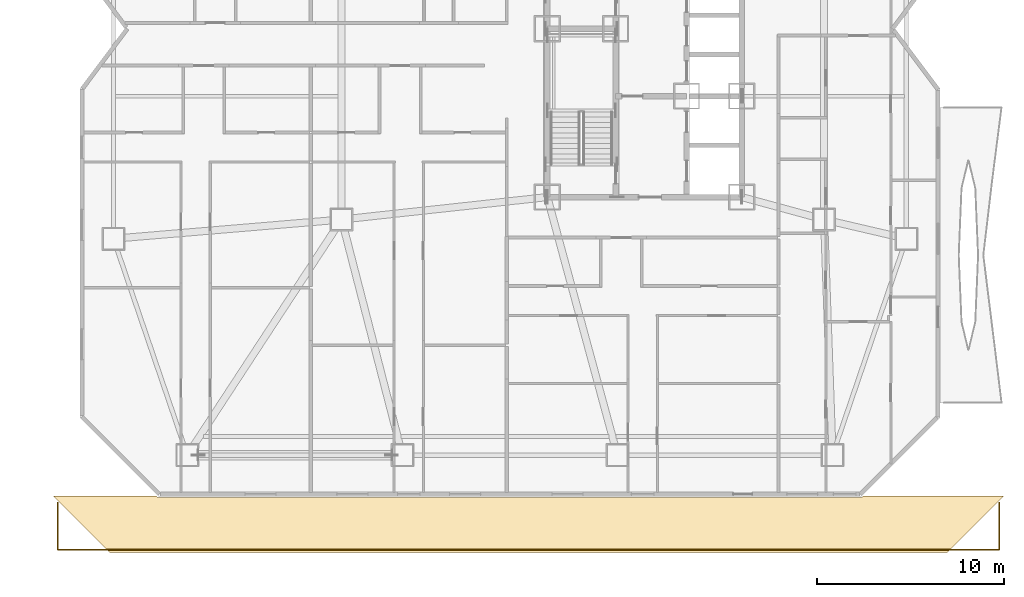
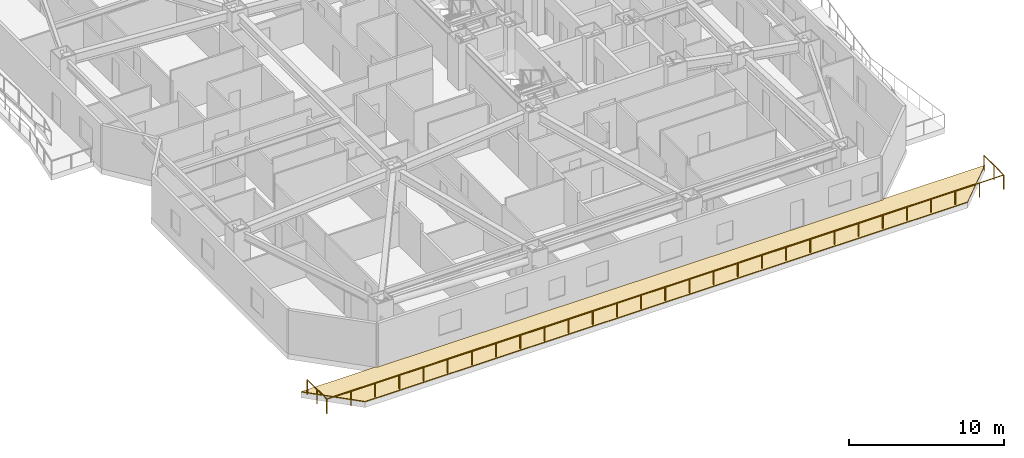
# One storey, part 16 of 18: 1 covering, 1 railing.
"""IFC4 building model written with IfcOpenShell, lengths in metres."""

from ifc_helpers import new_model, si_unit, direction, frame, origin, origin_2d, place, context, subcontext, project, spatial, polyline, circle, outline, extrude, material, layer, layer_set, type_object, element, save


model = new_model("IFC4")

# Units and contexts
model_context = context("Model", 3, precision=1e-05, world=origin(), true_north=direction((0.0, 1.0)))
body_context = subcontext(model_context, "Body", "Model", "MODEL_VIEW")
ifc_project = project(units=[si_unit("LENGTHUNIT", "METRE"), si_unit("AREAUNIT", "SQUARE_METRE"), si_unit("VOLUMEUNIT", "CUBIC_METRE"), si_unit("PLANEANGLEUNIT", "RADIAN"), si_unit("MASSUNIT", "GRAM", prefix="KILO")], contexts=[model_context])

# Site, building, storey
site_placement = place(None, origin())
site = spatial("IfcSite", under=ifc_project, at=site_placement, CompositionType="ELEMENT")
building_placement = place(site_placement, origin())
building = spatial("IfcBuilding", under=site, at=building_placement, Name="Khamvora Tower", CompositionType="ELEMENT")
storey_placement = place(building_placement, frame((0.0, 0.0, 33.300048828125)))
storey = spatial("IfcBuildingStorey", under=building, at=storey_placement, Name="L07", CompositionType="ELEMENT", Elevation=33.300048828125)

# Covering
ifc_material_1 = material(Name="Insulated Elastomeric Roof Waterproofing System", Category="membrane")
ifc_layer = layer(ifc_material_1, 0.0849609375)
ifc_layer_set = layer_set([ifc_layer], Name="Insulated Elastomeric Roof Waterproofing System")
covering_type = type_object("IfcCoveringType", Name="COV-ROOF-MEM", PredefinedType="ROOFING", material=ifc_layer_set)
covering_placement = place(storey_placement, origin())
element("IfcCovering", 1, at=covering_placement, inside=storey, type_object=covering_type, Name="L07 terrace waterproofing paving 1", PredefinedType="ROOFING", context=body_context, shape_type="SweptSolid", body=[
    extrude(outline(polyline([(50.39990234375, 0.0), (5.60009765625, 0.0), (2.580078125, 3.02001953125), (8.094970703125, 3.02001953125), (8.157958984375, 2.9580078125), (8.162109375, 2.9541015625), (8.1669921875, 2.949951171875), (8.172119140625, 2.947021484375), (8.177001953125, 2.945068359375), (8.18310546875, 2.943115234375), (8.18798828125, 2.94091796875), (8.194091796875, 2.93994140625), (8.199951171875, 2.93994140625), (45.800048828125, 2.93994140625), (45.805908203125, 2.93994140625), (45.81201171875, 2.94091796875), (45.81689453125, 2.943115234375), (45.822998046875, 2.945068359375), (45.827880859375, 2.947021484375), (45.8330078125, 2.949951171875), (45.837890625, 2.9541015625), (45.842041015625, 2.9580078125), (45.905029296875, 3.02001953125), (53.419921875, 3.02001953125), (50.39990234375, 0.0)])), origin(), (0.0, 0.0, 1.0), 0.06494140625),
])

# Railing
ifc_material_2 = material(Name="Laminated Structural Safety Glass and Stainless Steel", Category="steel")
railing_type = type_object("IfcRailingType", Name="RAL-POOL-1150", PredefinedType="BALUSTRADE", material=ifc_material_2)
railing_placement = place(storey_placement, frame((2.830078125, 2.669921875, 0.0)))
element("IfcRailing", 2, at=railing_placement, inside=storey, type_object=railing_type, Name="L07 stepped roof terrace balustrade 1", PredefinedType="BALUSTRADE", context=body_context, shape_type="SweptSolid", body=[
    extrude(circle(Radius=0.02392578125, at=origin_2d()), frame((0.0, 0.0, 1.1259765625), z_axis=(0.0, -1.0, 0.0), x_axis=(1.0, 0.0, 0.0)), (0.0, 0.0, 1.0), 2.52001953125),
    extrude(circle(Radius=0.02392578125, at=origin_2d()), frame((0.0, -2.52001953125, 1.1259765625), z_axis=(1.0, 0.0, 0.0), x_axis=(0.0, 1.0, 0.0)), (0.0, 0.0, 1.0), 50.33984375),
    extrude(circle(Radius=0.02392578125, at=origin_2d()), frame((50.33984375, -2.52001953125, 1.1259765625), z_axis=(0.0, 1.0, 0.0), x_axis=(-1.0, 0.0, 0.0)), (0.0, 0.0, 1.0), 2.52001953125),
    extrude(circle(Radius=0.02099609375, at=origin_2d()), origin(), (0.0, 0.0, 1.0), 1.101806640625),
    extrude(circle(Radius=0.02099609375, at=origin_2d()), frame((0.0, -1.260009765625, 0.0)), (0.0, 0.0, 1.0), 1.101806640625),
    extrude(circle(Radius=0.02099609375, at=origin_2d()), frame((0.0, -2.52001953125, 0.0)), (0.0, 0.0, 1.0), 1.101806640625),
    extrude(circle(Radius=0.02099609375, at=origin_2d()), frame((1.7978515625, -2.52001953125, 0.0)), (0.0, 0.0, 1.0), 1.101806640625),
    extrude(circle(Radius=0.02099609375, at=origin_2d()), frame((3.595703125, -2.52001953125, 0.0)), (0.0, 0.0, 1.0), 1.101806640625),
    extrude(circle(Radius=0.02099609375, at=origin_2d()), frame((5.3935546875, -2.52001953125, 0.0)), (0.0, 0.0, 1.0), 1.101806640625),
    extrude(circle(Radius=0.02099609375, at=origin_2d()), frame((7.19140625, -2.52001953125, 0.0)), (0.0, 0.0, 1.0), 1.101806640625),
    extrude(circle(Radius=0.02099609375, at=origin_2d()), frame((8.9892578125, -2.52001953125, 0.0)), (0.0, 0.0, 1.0), 1.101806640625),
    extrude(circle(Radius=0.02099609375, at=origin_2d()), frame((10.787109375, -2.52001953125, 0.0)), (0.0, 0.0, 1.0), 1.101806640625),
    extrude(circle(Radius=0.02099609375, at=origin_2d()), frame((12.5849609375, -2.52001953125, 0.0)), (0.0, 0.0, 1.0), 1.101806640625),
    extrude(circle(Radius=0.02099609375, at=origin_2d()), frame((14.3828125, -2.52001953125, 0.0)), (0.0, 0.0, 1.0), 1.101806640625),
    extrude(circle(Radius=0.02099609375, at=origin_2d()), frame((16.1806640625, -2.52001953125, 0.0)), (0.0, 0.0, 1.0), 1.101806640625),
    extrude(circle(Radius=0.02099609375, at=origin_2d()), frame((17.978515625, -2.52001953125, 0.0)), (0.0, 0.0, 1.0), 1.101806640625),
    extrude(circle(Radius=0.02099609375, at=origin_2d()), frame((19.7763671875, -2.52001953125, 0.0)), (0.0, 0.0, 1.0), 1.101806640625),
    extrude(circle(Radius=0.02099609375, at=origin_2d()), frame((21.57421875, -2.52001953125, 0.0)), (0.0, 0.0, 1.0), 1.101806640625),
    extrude(circle(Radius=0.02099609375, at=origin_2d()), frame((23.3720703125, -2.52001953125, 0.0)), (0.0, 0.0, 1.0), 1.101806640625),
    extrude(circle(Radius=0.02099609375, at=origin_2d()), frame((25.169921875, -2.52001953125, 0.0)), (0.0, 0.0, 1.0), 1.101806640625),
    extrude(circle(Radius=0.02099609375, at=origin_2d()), frame((26.9677734375, -2.52001953125, 0.0)), (0.0, 0.0, 1.0), 1.101806640625),
    extrude(circle(Radius=0.02099609375, at=origin_2d()), frame((28.765625, -2.52001953125, 0.0)), (0.0, 0.0, 1.0), 1.101806640625),
    extrude(circle(Radius=0.02099609375, at=origin_2d()), frame((30.5634765625, -2.52001953125, 0.0)), (0.0, 0.0, 1.0), 1.101806640625),
    extrude(circle(Radius=0.02099609375, at=origin_2d()), frame((32.361328125, -2.52001953125, 0.0)), (0.0, 0.0, 1.0), 1.101806640625),
    extrude(circle(Radius=0.02099609375, at=origin_2d()), frame((34.1591796875, -2.52001953125, 0.0)), (0.0, 0.0, 1.0), 1.101806640625),
    extrude(circle(Radius=0.02099609375, at=origin_2d()), frame((35.95703125, -2.52001953125, 0.0)), (0.0, 0.0, 1.0), 1.101806640625),
    extrude(circle(Radius=0.02099609375, at=origin_2d()), frame((37.7548828125, -2.52001953125, 0.0)), (0.0, 0.0, 1.0), 1.101806640625),
    extrude(circle(Radius=0.02099609375, at=origin_2d()), frame((39.552734375, -2.52001953125, 0.0)), (0.0, 0.0, 1.0), 1.101806640625),
    extrude(circle(Radius=0.02099609375, at=origin_2d()), frame((41.3505859375, -2.52001953125, 0.0)), (0.0, 0.0, 1.0), 1.101806640625),
    extrude(circle(Radius=0.02099609375, at=origin_2d()), frame((43.1484375, -2.52001953125, 0.0)), (0.0, 0.0, 1.0), 1.101806640625),
    extrude(circle(Radius=0.02099609375, at=origin_2d()), frame((44.9462890625, -2.52001953125, 0.0)), (0.0, 0.0, 1.0), 1.101806640625),
    extrude(circle(Radius=0.02099609375, at=origin_2d()), frame((46.744140625, -2.52001953125, 0.0)), (0.0, 0.0, 1.0), 1.101806640625),
    extrude(circle(Radius=0.02099609375, at=origin_2d()), frame((48.5419921875, -2.52001953125, 0.0)), (0.0, 0.0, 1.0), 1.101806640625),
    extrude(circle(Radius=0.02099609375, at=origin_2d()), frame((50.33984375, -2.52001953125, 0.0)), (0.0, 0.0, 1.0), 1.101806640625),
    extrude(circle(Radius=0.02099609375, at=origin_2d()), frame((50.33984375, -1.260009765625, 0.0)), (0.0, 0.0, 1.0), 1.101806640625),
    extrude(circle(Radius=0.02099609375, at=origin_2d()), frame((50.33984375, 0.0, 0.0)), (0.0, 0.0, 1.0), 1.101806640625),
])

save(model, "model.ifc")
